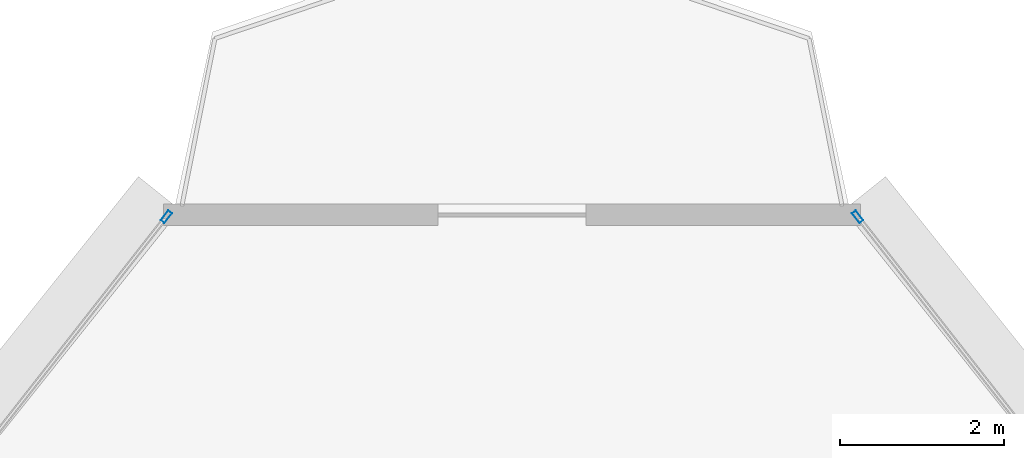
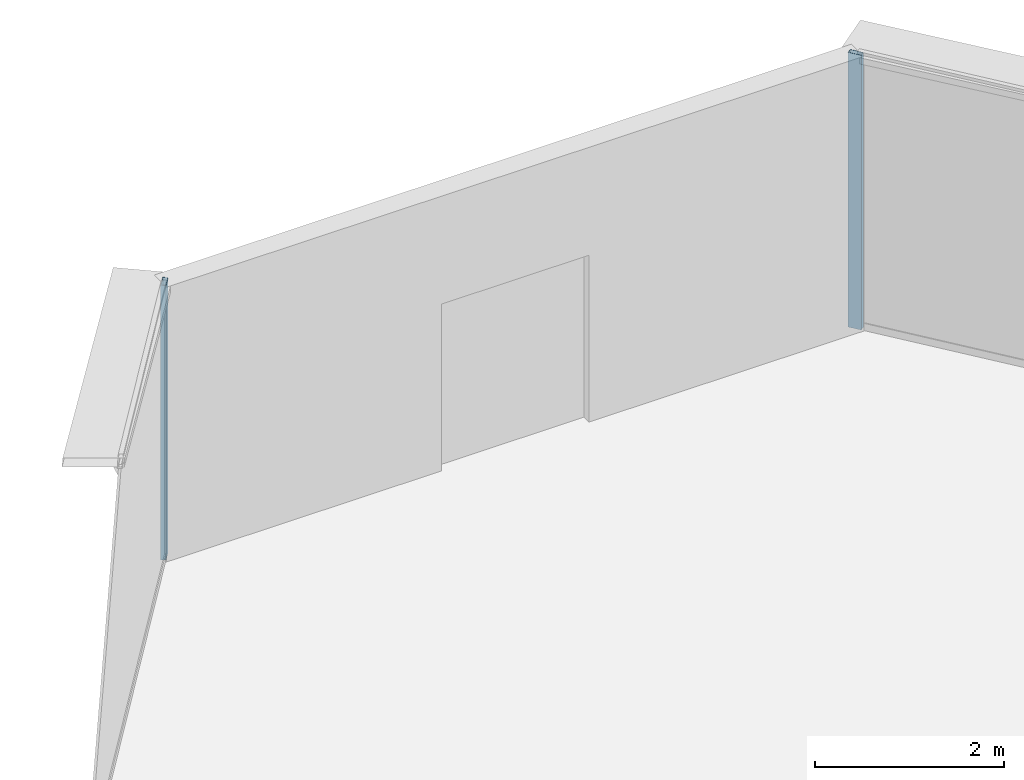
# One storey, part 27 of 37: 2 members, 2 elements without a shape of their own.
"""IFC4 building model written with IfcOpenShell, lengths in metres."""

import ifcopenshell
import ifcopenshell.guid

model = None  # the IFC model being written
_history = None  # IfcOwnerHistory: only IFC2X3 demands one
_inside = {}  # id of a spatial element -> (the spatial element, [elements in it])
_under = {}  # id of a project, library or spatial element -> (it, [spatial elements below it])
_declared = {}  # id of a project -> (the project, [libraries it declares])
_typed = {}  # id of a type object -> (the type object, [elements of that type])
_made_of = {}  # id of a material, layer set ... -> (it, [elements and type objects made of it])


def new_model(schema):
    """Start an empty IFC model of exactly this schema.

    Asked for "IFC4X3", IfcOpenShell would pick the latest addendum, in which some entities
    have other attributes; the version numbers below select the first issue.
    IFC2X3 requires an IfcOwnerHistory on every rooted entity: one is made here for all.
    """
    global model, _history
    if schema == "IFC4X3":
        model = ifcopenshell.file(schema_version=(4, 3, 0, 0))
    else:
        model = ifcopenshell.file(schema=schema)
    _inside.clear()
    _under.clear()
    _declared.clear()
    _typed.clear()
    _made_of.clear()
    _history = None
    if model.schema == "IFC2X3":
        org = make("IfcOrganization", Name="unknown")
        user = make(
            "IfcPersonAndOrganization",
            ThePerson=make("IfcPerson", FamilyName="unknown"),
            TheOrganization=org,
        )
        app = make(
            "IfcApplication",
            ApplicationDeveloper=org,
            Version="unknown",
            ApplicationFullName="unknown",
            ApplicationIdentifier="unknown",
        )
        _history = make(
            "IfcOwnerHistory",
            OwningUser=user,
            OwningApplication=app,
            ChangeAction="ADDED",
            CreationDate=0,
        )
    return model


def make(cls, **values):
    """One entity of the class cls with the attributes given. An attribute that is None is left unset."""
    return model.create_entity(
        cls, **{name: value for name, value in values.items() if value is not None}
    )


def rooted(cls, **values):
    """An entity with a GlobalId (a new one), such as an element, a storey or a relation."""
    return make(cls, GlobalId=ifcopenshell.guid.new(), OwnerHistory=_history, **values)


def si_unit(unit_type, name, prefix=None):
    """IfcSIUnit, for example si_unit("LENGTHUNIT", "METRE", prefix="MILLI")."""
    return make("IfcSIUnit", UnitType=unit_type, Prefix=prefix, Name=name)


def assignment(units):
    """IfcUnitAssignment: the units of a project."""
    return None if units is None else make("IfcUnitAssignment", Units=units)


def point(xyz):
    """IfcCartesianPoint."""
    return None if xyz is None else make("IfcCartesianPoint", Coordinates=xyz)


def direction(xyz):
    """IfcDirection."""
    return None if xyz is None else make("IfcDirection", DirectionRatios=xyz)


def frame(location, z_axis=None, x_axis=None):
    """IfcAxis2Placement3D, a coordinate frame: its origin and axes. An axis left out is left unset."""
    return make(
        "IfcAxis2Placement3D",
        Location=point(location),
        Axis=direction(z_axis),
        RefDirection=direction(x_axis),
    )


def frame_2d(location, x_axis=None):
    """IfcAxis2Placement2D, a coordinate frame in the plane: its origin and x axis."""
    return make(
        "IfcAxis2Placement2D", Location=point(location), RefDirection=direction(x_axis)
    )


def origin():
    """The frame at (0, 0, 0) with its axes left unset."""
    return frame((0.0, 0.0, 0.0))


def origin_2d():
    """The frame at (0, 0) in the plane with its x axis left unset."""
    return frame_2d((0.0, 0.0))


def place(relative_to, where):
    """IfcLocalPlacement: puts the frame where relative to a parent placement (None: the world)."""
    return make(
        "IfcLocalPlacement", PlacementRelTo=relative_to, RelativePlacement=where
    )


def context(
    kind, dimensions, precision=None, world=None, true_north=None, identifier=None
):
    """IfcGeometricRepresentationContext, for example the 3D "Model" context."""
    return make(
        "IfcGeometricRepresentationContext",
        ContextIdentifier=identifier,
        ContextType=kind,
        CoordinateSpaceDimension=dimensions,
        Precision=precision,
        WorldCoordinateSystem=world,
        TrueNorth=true_north,
    )


def subcontext(parent, identifier, kind, view, scale=None):
    """IfcGeometricRepresentationSubContext, for example "Body" below "Model"."""
    return make(
        "IfcGeometricRepresentationSubContext",
        ContextIdentifier=identifier,
        ContextType=kind,
        ParentContext=parent,
        TargetScale=scale,
        TargetView=view,
    )


def project(units=None, contexts=None):
    """IfcProject with its units and contexts."""
    return rooted(
        "IfcProject",
        Name="project",
        RepresentationContexts=contexts,
        UnitsInContext=assignment(units),
    )


def spatial(cls, under=None, at=None, **own):
    """A site, building, storey or space (cls), placed at a placement, below another one or the project."""
    s = rooted(cls, ObjectPlacement=at, **own)
    if under is not None:
        _under.setdefault(under.id(), (under, []))[1].append(s)
    return s


def profile(cls, at=None, kind="AREA", **sizes):
    """A parametric profile (cls). Its sizes go by their IFC names, for example OverallWidth=200.0."""
    return make(cls, ProfileType=kind, Position=at, **sizes)


def hollow_rectangle(**sizes):
    """IfcRectangleHollowProfileDef."""
    return profile("IfcRectangleHollowProfileDef", **sizes)


def extrude(swept, where, along, depth):
    """IfcExtrudedAreaSolid: the profile swept, set in the frame where, extruded along a direction by depth."""
    return make(
        "IfcExtrudedAreaSolid",
        SweptArea=swept,
        Position=where,
        ExtrudedDirection=direction(along),
        Depth=depth,
    )


def shape(context_of_items, identifier, shape_type, items):
    """IfcShapeRepresentation: the items that make up one representation, for example the "Body"."""
    return make(
        "IfcShapeRepresentation",
        ContextOfItems=context_of_items,
        RepresentationIdentifier=identifier,
        RepresentationType=shape_type,
        Items=items,
    )


def source(mapping_origin, context_of_items, identifier, shape_type, items):
    """IfcRepresentationMap: a shape defined once, which mapped items show again and again."""
    return make(
        "IfcRepresentationMap",
        MappingOrigin=mapping_origin,
        MappedRepresentation=shape(context_of_items, identifier, shape_type, items),
    )


def transform(
    local_origin,
    x_axis=None,
    y_axis=None,
    z_axis=None,
    scale=None,
    scale2=None,
    scale3=None,
    uniform=True,
):
    """IfcCartesianTransformationOperator3D, or its non-uniform kind. x_axis, y_axis, z_axis: its Axis1, 2, 3."""
    if uniform:
        return make(
            "IfcCartesianTransformationOperator3D",
            Axis1=direction(x_axis),
            Axis2=direction(y_axis),
            LocalOrigin=point(local_origin),
            Scale=scale,
            Axis3=direction(z_axis),
        )
    return make(
        "IfcCartesianTransformationOperator3DnonUniform",
        Axis1=direction(x_axis),
        Axis2=direction(y_axis),
        LocalOrigin=point(local_origin),
        Scale=scale,
        Axis3=direction(z_axis),
        Scale2=scale2,
        Scale3=scale3,
    )


def mapped(mapping_source, mapping_target):
    """IfcMappedItem: shows the shape of a source again, moved by a transform."""
    return make(
        "IfcMappedItem", MappingSource=mapping_source, MappingTarget=mapping_target
    )


def material(Name=None, Category=None):
    """IfcMaterial."""
    return make("IfcMaterial", Name=Name, Category=Category)


def layer(
    of_material, thickness, ventilated=None, Name=None, Category=None, Priority=None
):
    """IfcMaterialLayer: one layer of a wall or slab, of a material (None: an air gap)."""
    return make(
        "IfcMaterialLayer",
        Material=of_material,
        LayerThickness=thickness,
        IsVentilated=ventilated,
        Name=Name,
        Category=Category,
        Priority=Priority,
    )


def layer_set(layers, Name=None):
    """IfcMaterialLayerSet."""
    return make("IfcMaterialLayerSet", MaterialLayers=layers, LayerSetName=Name)


def material_profile(
    of_material, cross_section, Name=None, Category=None, Priority=None
):
    """IfcMaterialProfile: a cross section and its material."""
    return make(
        "IfcMaterialProfile",
        Name=Name,
        Material=of_material,
        Profile=cross_section,
        Priority=Priority,
        Category=Category,
    )


def profile_set(profiles, Name=None, composite=None):
    """IfcMaterialProfileSet."""
    return make(
        "IfcMaterialProfileSet",
        Name=Name,
        MaterialProfiles=profiles,
        CompositeProfile=composite,
    )


def made_of(thing, what):
    """Note that an element or type object is made of a material, layer set ...; save() writes the relation."""
    if what is not None:
        _made_of.setdefault(what.id(), (what, []))[1].append(thing)
    return thing


def type_object(cls, material=None, **own):
    """A type object (cls), such as IfcWallType, which elements share."""
    return made_of(rooted(cls, **own), material)


def element(
    cls,
    number,
    at=None,
    inside=None,
    cuts=None,
    type_object=None,
    material=None,
    context=None,
    identifier="Body",
    shape_type=None,
    held_by="IfcProductDefinitionShape",
    body=None,
    shapes=None,
    **own,
):
    """One element of the class cls, such as IfcWall. Its Tag is "e" and its number.

    at: its placement. inside: the storey or other place that contains it. cuts: it is an
    opening in that element (IfcRelVoidsElement). A single representation is given by context,
    identifier, shape_type and body (its items); several are given by shapes. held_by: the class
    of the entity that holds the representations. save() writes the other relations.
    """
    e = rooted(cls, Tag="e%d" % number, ObjectPlacement=at, **own)
    if body is not None:
        shapes = [shape(context, identifier, shape_type, body)]
    if shapes is not None:
        e.Representation = make(held_by, Representations=shapes)
    if inside is not None:
        _inside.setdefault(inside.id(), (inside, []))[1].append(e)
    if cuts is not None:
        rooted(
            "IfcRelVoidsElement", RelatingBuildingElement=cuts, RelatedOpeningElement=e
        )
    if type_object is not None:
        _typed.setdefault(type_object.id(), (type_object, []))[1].append(e)
    return made_of(e, material)


def aggregate(whole, parts):
    """IfcRelAggregates: a whole, such as a stair, and the parts it consists of."""
    return rooted("IfcRelAggregates", RelatingObject=whole, RelatedObjects=parts)


def save(model, path):
    """Write the relations noted so far, then the file.

    IfcRelAggregates (storeys below a building ...), IfcRelContainedInSpatialStructure (elements
    in a storey), IfcRelDefinesByType, IfcRelAssociatesMaterial and IfcRelDeclares: one each for
    every whole, place, type object, material and project.
    """
    for whole, parts in _under.values():
        aggregate(whole, parts)
    for where, things in _inside.values():
        rooted(
            "IfcRelContainedInSpatialStructure",
            RelatedElements=things,
            RelatingStructure=where,
        )
    for kind, things in _typed.values():
        rooted("IfcRelDefinesByType", RelatedObjects=things, RelatingType=kind)
    for what, things in _made_of.values():
        rooted("IfcRelAssociatesMaterial", RelatedObjects=things, RelatingMaterial=what)
    for by, libraries in _declared.values():
        rooted("IfcRelDeclares", RelatingContext=by, RelatedDefinitions=libraries)
    model.write(path)


model = new_model("IFC4")

# Units and contexts
model_context = context("Model", 3, precision=1e-05, world=origin(), true_north=direction((0.0, 1.0)))
body_context = subcontext(model_context, "Body", "Model", "MODEL_VIEW")
ifc_project = project(units=[si_unit("LENGTHUNIT", "METRE"), si_unit("AREAUNIT", "SQUARE_METRE"), si_unit("VOLUMEUNIT", "CUBIC_METRE"), si_unit("PLANEANGLEUNIT", "RADIAN"), si_unit("MASSUNIT", "GRAM", prefix="KILO"), si_unit("THERMODYNAMICTEMPERATUREUNIT", "KELVIN"), si_unit("POWERUNIT", "WATT")], contexts=[model_context])

# Site, building, storey
site_placement = place(None, origin())
site = spatial("IfcSite", under=ifc_project, at=site_placement, CompositionType="ELEMENT")
building_placement = place(site_placement, origin())
building = spatial("IfcBuilding", under=site, at=building_placement, Name="Yunzhuo Pagoda Commons", CompositionType="ELEMENT")
storey_placement = place(building_placement, frame((0.0, 0.0, 196.159912109375)))
storey = spatial("IfcBuildingStorey", under=building, at=storey_placement, Name="L49", CompositionType="ELEMENT", Elevation=196.159912109375)

# Curtain wall, member
ifc_material = material(Name="Anodized aluminium 6063-T6", Category="aluminium")
ifc_layer = layer(ifc_material, 0.14990234375)
ifc_layer_set = layer_set([ifc_layer], Name="Anodized aluminium 6063-T6")
curtain_wall_type = type_object("IfcCurtainWallType", Name="CW-MID Mid-Zone Ribbon Curtain Wall", PredefinedType="NOTDEFINED", material=ifc_layer_set)
curtain_wall_1_placement = place(storey_placement, origin())
curtain_wall_1 = element("IfcCurtainWall", 1, at=curtain_wall_1_placement, inside=storey, type_object=curtain_wall_type, Name="L49 curtain wall CW-L49-F2B5", PredefinedType="NOTDEFINED")
ifc_material_profile = material_profile(ifc_material, hollow_rectangle(XDim=0.06005859375, YDim=0.14990234375, WallThickness=0.00390625, at=origin_2d()), Name="Anodized aluminium 6063-T6")
ifc_profile_set = profile_set([ifc_material_profile], Name="Anodized aluminium 6063-T6")
member_type = type_object("IfcMemberType", Name="CW-MID-M Mullion RHS 150x60x4", PredefinedType="MULLION", material=ifc_profile_set)
shared_shape = source(origin(), body_context, "Body", "SweptSolid", [
    extrude(hollow_rectangle(XDim=0.06005859375, YDim=0.14990234375, WallThickness=0.00390625, at=origin_2d()), origin(), (0.0, 0.0, 1.0), 3.5400390625),
])
member_1_placement = place(storey_placement, frame((52.213623046875, 83.143798828125, 0.0), z_axis=(0.0, 0.0, 1.0), x_axis=(-0.787049910454, -0.616889324316, 0.0)))
member_1 = element("IfcMember", 2, at=member_1_placement, type_object=member_type, Name="CW mullion 2", PredefinedType="MULLION", context=body_context, shape_type="MappedRepresentation", body=[
    mapped(shared_shape, transform((0.0, 0.0, 0.0), scale=1.0)),
])
aggregate(curtain_wall_1, [member_1])

curtain_wall_2_placement = place(storey_placement, origin())
curtain_wall_2 = element("IfcCurtainWall", 3, at=curtain_wall_2_placement, inside=storey, type_object=curtain_wall_type, Name="L49 curtain wall CW-L49-F3B1", PredefinedType="NOTDEFINED")
member_2_placement = place(storey_placement, frame((43.786376953125, 83.143798828125, 0.0), z_axis=(0.0, 0.0, 1.0), x_axis=(0.787049910454, -0.616889324316, 0.0)))
member_2 = element("IfcMember", 4, at=member_2_placement, type_object=member_type, Name="CW mullion 1", PredefinedType="MULLION", context=body_context, shape_type="MappedRepresentation", body=[
    mapped(shared_shape, transform((0.0, 0.0, 0.0), scale=1.0)),
])
aggregate(curtain_wall_2, [member_2])

save(model, "model.ifc")
